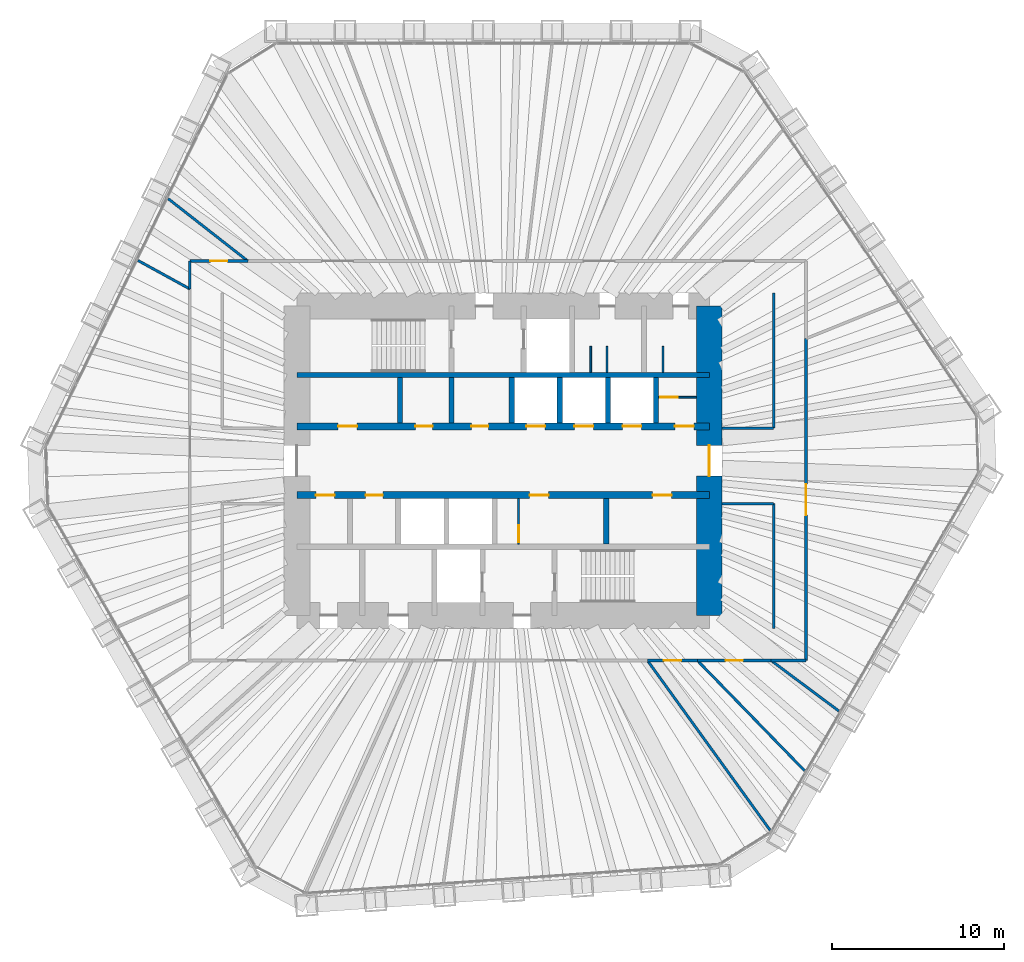
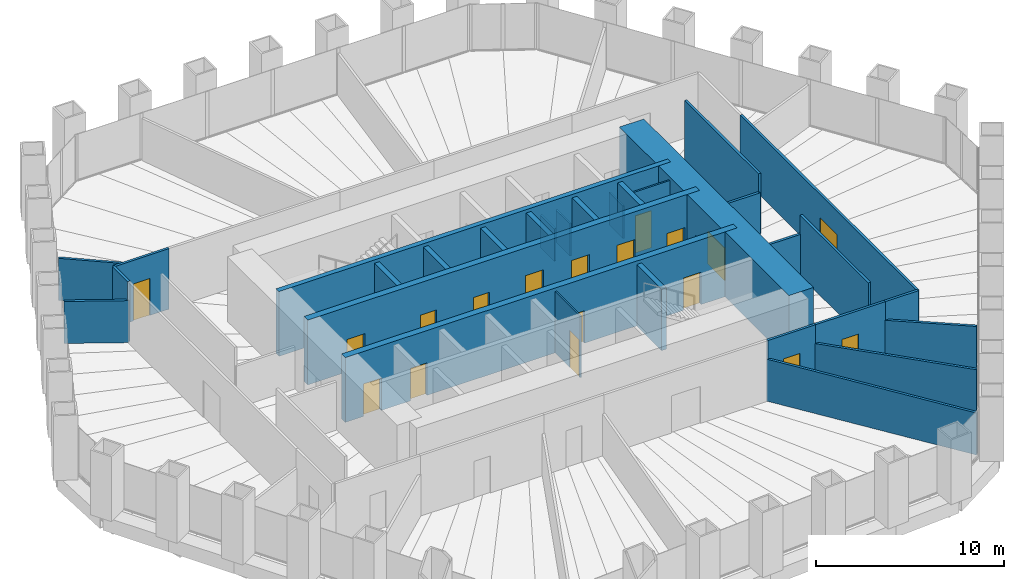
# One storey, part 10 of 12: 31 walls, 18 doors, 18 openings.
"""IFC4 building model written with IfcOpenShell, lengths in metres."""

from ifc_helpers import new_model, si_unit, direction, frame, frame_2d, origin, place, context, subcontext, project, spatial, rectangle, extrude, material, layer, layer_set, type_object, element, fill, save


model = new_model("IFC4")

# Units and contexts
model_context = context("Model", 3, precision=1e-05, world=origin(), true_north=direction((0.0, 1.0)))
body_context = subcontext(model_context, "Body", "Model", "MODEL_VIEW")
ifc_project = project(units=[si_unit("LENGTHUNIT", "METRE"), si_unit("AREAUNIT", "SQUARE_METRE"), si_unit("VOLUMEUNIT", "CUBIC_METRE"), si_unit("PLANEANGLEUNIT", "RADIAN"), si_unit("MASSUNIT", "GRAM", prefix="KILO")], contexts=[model_context])

# Site, building, storey
site_placement = place(None, origin())
site = spatial("IfcSite", under=ifc_project, at=site_placement, CompositionType="ELEMENT")
building_placement = place(site_placement, origin())
building = spatial("IfcBuilding", under=site, at=building_placement, Name="Qingtian Harvest Tower", CompositionType="ELEMENT")
storey_placement = place(building_placement, frame((0.0, 0.0, 170.199951171875)))
storey = spatial("IfcBuildingStorey", under=building, at=storey_placement, Name="L36", CompositionType="ELEMENT", Elevation=170.199951171875)

# Wall
ifc_material_1 = material(Name="Concrete fc' 70 MPa", Category="concrete")
ifc_layer_1 = layer(ifc_material_1, 0.300048828125)
ifc_layer_set_1 = layer_set([ifc_layer_1], Name="Core inner wall RC5 300")
wall_type_1 = type_object("IfcWallType", Name="Core inner wall RC5 300", PredefinedType="SHEAR", material=ifc_layer_set_1)
wall_1_placement = place(storey_placement, frame((-12.0, 5.0, 0.0), z_axis=(0.0, 0.0, 1.0), x_axis=(1.0, 0.0, 0.0)))
element("IfcWall", 1, at=wall_1_placement, inside=storey, type_object=wall_type_1, Name="Core wall IN5 L36", PredefinedType="SHEAR", context=body_context, shape_type="SweptSolid", body=[
    extrude(rectangle(XDim=24.0, YDim=0.300048828125, at=frame_2d((12.0, 0.0))), origin(), (0.0, 0.0, 1.0), 4.199951171875),
])

# Wall, openings, doors
ifc_material_2 = material(Name="Concrete fc' 70 MPa", Category="concrete")
ifc_layer_2 = layer(ifc_material_2, 0.39990234375)
ifc_layer_set_2 = layer_set([ifc_layer_2], Name="Core inner web RC6 400")
wall_type_2 = type_object("IfcWallType", Name="Core inner web RC6 400", PredefinedType="SHEAR", material=ifc_layer_set_2)
wall_2_placement = place(storey_placement, frame((-12.0, 2.0, 0.0), z_axis=(0.0, 0.0, 1.0), x_axis=(1.0, 0.0, 0.0)))
wall_2 = element("IfcWall", 2, at=wall_2_placement, inside=storey, type_object=wall_type_2, Name="Core wall IN2 L36", PredefinedType="SHEAR", context=body_context, shape_type="SweptSolid", body=[
    extrude(rectangle(XDim=24.0, YDim=0.39990234375, at=frame_2d((12.0, 0.0))), origin(), (0.0, 0.0, 1.0), 4.199951171875),
])
opening_1_placement = place(wall_2_placement, frame((2.39990234375, 0.0, 0.0)))
opening_1 = element("IfcOpeningElement", 3, at=opening_1_placement, cuts=wall_2, Name="Opening FD4", PredefinedType="OPENING", context=body_context, shape_type="SweptSolid", body=[
    extrude(rectangle(XDim=1.10009765625, YDim=2.10009765625, at=frame_2d((0.550048828125, 1.050048828125))), frame((0.0, 0.2099609375, 0.0), z_axis=(0.0, -1.0, 0.0), x_axis=(1.0, 0.0, 0.0)), (0.0, 0.0, 1.0), 0.419921875),
])
opening_2_placement = place(wall_2_placement, frame((22.0, 0.0, 0.0)))
opening_2 = element("IfcOpeningElement", 4, at=opening_2_placement, cuts=wall_2, Name="Opening FD4", PredefinedType="OPENING", context=body_context, shape_type="SweptSolid", body=[
    extrude(rectangle(XDim=1.10009765625, YDim=2.10009765625, at=frame_2d((0.550048828125, 1.050048828125))), frame((0.0, 0.2099609375, 0.0), z_axis=(0.0, -1.0, 0.0), x_axis=(1.0, 0.0, 0.0)), (0.0, 0.0, 1.0), 0.419921875),
])
opening_3_placement = place(wall_2_placement, frame((10.14990234375, 0.0, 0.0)))
opening_3 = element("IfcOpeningElement", 5, at=opening_3_placement, cuts=wall_2, Name="Opening FD1", PredefinedType="OPENING", context=body_context, shape_type="SweptSolid", body=[
    extrude(rectangle(XDim=1.0, YDim=2.10009765625, at=frame_2d((0.5, 1.050048828125))), frame((0.0, 0.2099609375, 0.0), z_axis=(0.0, -1.0, 0.0), x_axis=(1.0, 0.0, 0.0)), (0.0, 0.0, 1.0), 0.419921875),
])
opening_4_placement = place(wall_2_placement, frame((6.89990234375, 0.0, 0.0)))
opening_4 = element("IfcOpeningElement", 6, at=opening_4_placement, cuts=wall_2, Name="Opening FD1", PredefinedType="OPENING", context=body_context, shape_type="SweptSolid", body=[
    extrude(rectangle(XDim=1.0, YDim=2.10009765625, at=frame_2d((0.5, 1.050048828125))), frame((0.0, 0.2099609375, 0.0), z_axis=(0.0, -1.0, 0.0), x_axis=(1.0, 0.0, 0.0)), (0.0, 0.0, 1.0), 0.419921875),
])
opening_5_placement = place(wall_2_placement, frame((13.35009765625, 0.0, 0.0)))
opening_5 = element("IfcOpeningElement", 7, at=opening_5_placement, cuts=wall_2, Name="Opening LD1", PredefinedType="OPENING", context=body_context, shape_type="SweptSolid", body=[
    extrude(rectangle(XDim=1.10009765625, YDim=2.39990234375, at=frame_2d((0.550048828125, 1.199951171875))), frame((0.0, 0.2099609375, 0.0), z_axis=(0.0, -1.0, 0.0), x_axis=(1.0, 0.0, 0.0)), (0.0, 0.0, 1.0), 0.419921875),
])
opening_6_placement = place(wall_2_placement, frame((16.14990234375, 0.0, 0.0)))
opening_6 = element("IfcOpeningElement", 8, at=opening_6_placement, cuts=wall_2, Name="Opening LD1", PredefinedType="OPENING", context=body_context, shape_type="SweptSolid", body=[
    extrude(rectangle(XDim=1.10009765625, YDim=2.39990234375, at=frame_2d((0.550048828125, 1.199951171875))), frame((0.0, 0.2099609375, 0.0), z_axis=(0.0, -1.0, 0.0), x_axis=(1.0, 0.0, 0.0)), (0.0, 0.0, 1.0), 0.419921875),
])
opening_7_placement = place(wall_2_placement, frame((18.949951171875, 0.0, 0.0)))
opening_7 = element("IfcOpeningElement", 9, at=opening_7_placement, cuts=wall_2, Name="Opening LD1", PredefinedType="OPENING", context=body_context, shape_type="SweptSolid", body=[
    extrude(rectangle(XDim=1.10009765625, YDim=2.39990234375, at=frame_2d((0.550048828125, 1.199951171875))), frame((0.0, 0.2099609375, 0.0), z_axis=(0.0, -1.0, 0.0), x_axis=(1.0, 0.0, 0.0)), (0.0, 0.0, 1.0), 0.419921875),
])
ifc_material_3 = material(Name="Steel-faced door leaf", Category="steel")
door_type_1 = type_object("IfcDoorType", Name="Fire door FD1 single 1 HR", OperationType="SINGLE_SWING_LEFT", PredefinedType="DOOR", material=ifc_material_3)
door_1_placement = place(opening_3_placement, origin())
door_1 = element("IfcDoor", 10, at=door_1_placement, inside=storey, type_object=door_type_1, Name="STA door L36", OperationType="SINGLE_SWING_RIGHT", OverallHeight=2.10009765625, OverallWidth=1.0, PredefinedType="DOOR", context=body_context, shape_type="SweptSolid", body=[
    extrude(rectangle(XDim=1.0, YDim=2.10009765625, at=frame_2d((0.5, 1.050048828125))), frame((0.0, 0.02490234375, 0.0), z_axis=(0.0, -1.0, 0.0), x_axis=(1.0, 0.0, 0.0)), (0.0, 0.0, 1.0), 0.050048828125),
])
fill(opening_3, door_1)
door_2_placement = place(opening_4_placement, origin())
door_2 = element("IfcDoor", 11, at=door_2_placement, inside=storey, type_object=door_type_1, Name="Pantry door L36", OperationType="SINGLE_SWING_RIGHT", OverallHeight=2.10009765625, OverallWidth=1.0, PredefinedType="DOOR", context=body_context, shape_type="SweptSolid", body=[
    extrude(rectangle(XDim=1.0, YDim=2.10009765625, at=frame_2d((0.5, 1.050048828125))), frame((0.0, 0.02490234375, 0.0), z_axis=(0.0, -1.0, 0.0), x_axis=(1.0, 0.0, 0.0)), (0.0, 0.0, 1.0), 0.050048828125),
])
fill(opening_4, door_2)
ifc_material_4 = material(Name="Steel-faced door leaf", Category="steel")
door_type_2 = type_object("IfcDoorType", Name="Fire door FD4 single 2 HR", OperationType="SINGLE_SWING_LEFT", PredefinedType="DOOR", material=ifc_material_4)
door_3_placement = place(opening_1_placement, origin())
door_3 = element("IfcDoor", 12, at=door_3_placement, inside=storey, type_object=door_type_2, Name="RA door L36", OperationType="SINGLE_SWING_LEFT", OverallHeight=2.10009765625, OverallWidth=1.10009765625, PredefinedType="DOOR", context=body_context, shape_type="SweptSolid", body=[
    extrude(rectangle(XDim=1.10009765625, YDim=2.10009765625, at=frame_2d((0.550048828125, 1.050048828125))), frame((0.0, 0.02490234375, 0.0), z_axis=(0.0, -1.0, 0.0), x_axis=(1.0, 0.0, 0.0)), (0.0, 0.0, 1.0), 0.050048828125),
])
fill(opening_1, door_3)
door_4_placement = place(opening_2_placement, origin())
door_4 = element("IfcDoor", 13, at=door_4_placement, inside=storey, type_object=door_type_2, Name="AHU door L36", OperationType="SINGLE_SWING_LEFT", OverallHeight=2.10009765625, OverallWidth=1.10009765625, PredefinedType="DOOR", context=body_context, shape_type="SweptSolid", body=[
    extrude(rectangle(XDim=1.10009765625, YDim=2.10009765625, at=frame_2d((0.550048828125, 1.050048828125))), frame((0.0, 0.02490234375, 0.0), z_axis=(0.0, -1.0, 0.0), x_axis=(1.0, 0.0, 0.0)), (0.0, 0.0, 1.0), 0.050048828125),
])
fill(opening_2, door_4)
ifc_material_5 = material(Name="Stainless steel lift landing door", Category="steel")
door_type_3 = type_object("IfcDoorType", Name="Lift landing door LD1 1 HR", OperationType="DOUBLE_DOOR_SLIDING", PredefinedType="DOOR", material=ifc_material_5)
door_5_placement = place(opening_5_placement, origin())
door_5 = element("IfcDoor", 14, at=door_5_placement, inside=storey, type_object=door_type_3, Name="PLB1 landing door L36", OperationType="DOUBLE_DOOR_SLIDING", OverallHeight=2.39990234375, OverallWidth=1.10009765625, PredefinedType="DOOR", context=body_context, shape_type="SweptSolid", body=[
    extrude(rectangle(XDim=1.10009765625, YDim=2.39990234375, at=frame_2d((0.550048828125, 1.199951171875))), frame((0.0, 0.02490234375, 0.0), z_axis=(0.0, -1.0, 0.0), x_axis=(1.0, 0.0, 0.0)), (0.0, 0.0, 1.0), 0.050048828125),
])
fill(opening_5, door_5)
door_6_placement = place(opening_6_placement, origin())
door_6 = element("IfcDoor", 15, at=door_6_placement, inside=storey, type_object=door_type_3, Name="PLB2 landing door L36", OperationType="DOUBLE_DOOR_SLIDING", OverallHeight=2.39990234375, OverallWidth=1.10009765625, PredefinedType="DOOR", context=body_context, shape_type="SweptSolid", body=[
    extrude(rectangle(XDim=1.10009765625, YDim=2.39990234375, at=frame_2d((0.550048828125, 1.199951171875))), frame((0.0, 0.02490234375, 0.0), z_axis=(0.0, -1.0, 0.0), x_axis=(1.0, 0.0, 0.0)), (0.0, 0.0, 1.0), 0.050048828125),
])
fill(opening_6, door_6)
door_7_placement = place(opening_7_placement, origin())
door_7 = element("IfcDoor", 16, at=door_7_placement, inside=storey, type_object=door_type_3, Name="PLB3 landing door L36", OperationType="DOUBLE_DOOR_SLIDING", OverallHeight=2.39990234375, OverallWidth=1.10009765625, PredefinedType="DOOR", context=body_context, shape_type="SweptSolid", body=[
    extrude(rectangle(XDim=1.10009765625, YDim=2.39990234375, at=frame_2d((0.550048828125, 1.199951171875))), frame((0.0, 0.02490234375, 0.0), z_axis=(0.0, -1.0, 0.0), x_axis=(1.0, 0.0, 0.0)), (0.0, 0.0, 1.0), 0.050048828125),
])
fill(opening_7, door_7)

wall_3_placement = place(storey_placement, frame((-12.0, -2.0, 0.0), z_axis=(0.0, 0.0, 1.0), x_axis=(1.0, 0.0, 0.0)))
wall_3 = element("IfcWall", 17, at=wall_3_placement, inside=storey, type_object=wall_type_2, Name="Core wall IS2 L36", PredefinedType="SHEAR", context=body_context, shape_type="SweptSolid", body=[
    extrude(rectangle(XDim=24.0, YDim=0.39990234375, at=frame_2d((12.0, 0.0))), origin(), (0.0, 0.0, 1.0), 4.199951171875),
])
opening_8_placement = place(wall_3_placement, frame((1.10009765625, 0.0, 0.0)))
opening_8 = element("IfcOpeningElement", 18, at=opening_8_placement, cuts=wall_3, Name="Opening FD4", PredefinedType="OPENING", context=body_context, shape_type="SweptSolid", body=[
    extrude(rectangle(XDim=1.10009765625, YDim=2.10009765625, at=frame_2d((0.550048828125, 1.050048828125))), frame((0.0, 0.2099609375, 0.0), z_axis=(0.0, -1.0, 0.0), x_axis=(1.0, 0.0, 0.0)), (0.0, 0.0, 1.0), 0.419921875),
])
opening_9_placement = place(wall_3_placement, frame((13.550048828125, 0.0, 0.0)))
opening_9 = element("IfcOpeningElement", 19, at=opening_9_placement, cuts=wall_3, Name="Opening FD4", PredefinedType="OPENING", context=body_context, shape_type="SweptSolid", body=[
    extrude(rectangle(XDim=1.10009765625, YDim=2.10009765625, at=frame_2d((0.550048828125, 1.050048828125))), frame((0.0, 0.2099609375, 0.0), z_axis=(0.0, -1.0, 0.0), x_axis=(1.0, 0.0, 0.0)), (0.0, 0.0, 1.0), 0.419921875),
])
opening_10_placement = place(wall_3_placement, frame((20.699951171875, 0.0, 0.0)))
opening_10 = element("IfcOpeningElement", 20, at=opening_10_placement, cuts=wall_3, Name="Opening FD4", PredefinedType="OPENING", context=body_context, shape_type="SweptSolid", body=[
    extrude(rectangle(XDim=1.10009765625, YDim=2.10009765625, at=frame_2d((0.550048828125, 1.050048828125))), frame((0.0, 0.2099609375, 0.0), z_axis=(0.0, -1.0, 0.0), x_axis=(1.0, 0.0, 0.0)), (0.0, 0.0, 1.0), 0.419921875),
])
opening_11_placement = place(wall_3_placement, frame((4.0, 0.0, 0.0)))
opening_11 = element("IfcOpeningElement", 21, at=opening_11_placement, cuts=wall_3, Name="Opening FD1", PredefinedType="OPENING", context=body_context, shape_type="SweptSolid", body=[
    extrude(rectangle(XDim=1.0, YDim=2.10009765625, at=frame_2d((0.5, 1.050048828125))), frame((0.0, 0.2099609375, 0.0), z_axis=(0.0, -1.0, 0.0), x_axis=(1.0, 0.0, 0.0)), (0.0, 0.0, 1.0), 0.419921875),
])
door_8_placement = place(opening_11_placement, origin())
door_8 = element("IfcDoor", 22, at=door_8_placement, inside=storey, type_object=door_type_1, Name="Staff WC door L36", OperationType="SINGLE_SWING_RIGHT", OverallHeight=2.10009765625, OverallWidth=1.0, PredefinedType="DOOR", context=body_context, shape_type="SweptSolid", body=[
    extrude(rectangle(XDim=1.0, YDim=2.10009765625, at=frame_2d((0.5, 1.050048828125))), frame((0.0, 0.02490234375, 0.0), z_axis=(0.0, -1.0, 0.0), x_axis=(1.0, 0.0, 0.0)), (0.0, 0.0, 1.0), 0.050048828125),
])
fill(opening_11, door_8)
door_9_placement = place(opening_8_placement, origin())
door_9 = element("IfcDoor", 23, at=door_9_placement, inside=storey, type_object=door_type_2, Name="RB door L36", OperationType="SINGLE_SWING_LEFT", OverallHeight=2.10009765625, OverallWidth=1.10009765625, PredefinedType="DOOR", context=body_context, shape_type="SweptSolid", body=[
    extrude(rectangle(XDim=1.10009765625, YDim=2.10009765625, at=frame_2d((0.550048828125, 1.050048828125))), frame((0.0, 0.02490234375, 0.0), z_axis=(0.0, -1.0, 0.0), x_axis=(1.0, 0.0, 0.0)), (0.0, 0.0, 1.0), 0.050048828125),
])
fill(opening_8, door_9)
door_10_placement = place(opening_9_placement, origin())
door_10 = element("IfcDoor", 24, at=door_10_placement, inside=storey, type_object=door_type_2, Name="ELEC door L36", OperationType="SINGLE_SWING_RIGHT", OverallHeight=2.10009765625, OverallWidth=1.10009765625, PredefinedType="DOOR", context=body_context, shape_type="SweptSolid", body=[
    extrude(rectangle(XDim=1.10009765625, YDim=2.10009765625, at=frame_2d((0.550048828125, 1.050048828125))), frame((0.0, 0.02490234375, 0.0), z_axis=(0.0, -1.0, 0.0), x_axis=(1.0, 0.0, 0.0)), (0.0, 0.0, 1.0), 0.050048828125),
])
fill(opening_9, door_10)
door_11_placement = place(opening_10_placement, origin())
door_11 = element("IfcDoor", 25, at=door_11_placement, inside=storey, type_object=door_type_2, Name="DUCT door L36", OperationType="SINGLE_SWING_LEFT", OverallHeight=2.10009765625, OverallWidth=1.10009765625, PredefinedType="DOOR", context=body_context, shape_type="SweptSolid", body=[
    extrude(rectangle(XDim=1.10009765625, YDim=2.10009765625, at=frame_2d((0.550048828125, 1.050048828125))), frame((0.0, 0.02490234375, 0.0), z_axis=(0.0, -1.0, 0.0), x_axis=(1.0, 0.0, 0.0)), (0.0, 0.0, 1.0), 0.050048828125),
])
fill(opening_10, door_11)

# Walls
ifc_material_6 = material(Name="Precast concrete shaft panel", Category="concrete")
ifc_layer_3 = layer(ifc_material_6, 0.300048828125)
ifc_layer_set_3 = layer_set([ifc_layer_3], Name="Core shaft partition SW1 300")
wall_type_3 = type_object("IfcWallType", Name="Core shaft partition SW1 300", PredefinedType="PARTITIONING", material=ifc_layer_set_3)
for number, where, z_axis, x_axis, name in (
    (26, (-6.0, 2.199951171875, 0.0), (0.0, 0.0, 1.0), (0.0, 1.0, 0.0), "Core shaft partition XA1 L36"),
    (27, (-3.0, 2.199951171875, 0.0), (0.0, 0.0, 1.0), (0.0, 1.0, 0.0), "Core shaft partition XA2 L36"),
    (28, (0.5, 2.199951171875, 0.0), (0.0, 0.0, 1.0), (0.0, 1.0, 0.0), "Core shaft partition XA3 L36"),
    (29, (3.300048828125, 2.199951171875, 0.0), (0.0, 0.0, 1.0), (0.0, 1.0, 0.0), "Core shaft partition XA4 L36"),
    (30, (6.10009765625, 2.199951171875, 0.0), (0.0, 0.0, 1.0), (0.0, 1.0, 0.0), "Core shaft partition XA5 L36"),
    (31, (8.89990234375, 2.199951171875, 0.0), (0.0, 0.0, 1.0), (0.0, 1.0, 0.0), "Core shaft partition XA6 L36"),
    (32, (6.0, -4.85009765625, 0.0), (0.0, 0.0, 1.0), (0.0, 1.0, 0.0), "Core shaft partition XB5 L36"),
):
    element("IfcWall", number, at=place(storey_placement, frame(where, z_axis=z_axis, x_axis=x_axis)), inside=storey, type_object=wall_type_3, Name=name, PredefinedType="PARTITIONING", context=body_context, shape_type="SweptSolid", body=[
        extrude(rectangle(XDim=2.650146484375, YDim=0.300048828125, at=frame_2d((1.3251953125, 0.0))), origin(), (0.0, 0.0, 1.0), 3.97998046875),
    ])

# Wall, opening, door
ifc_material_7 = material(Name="Concrete fc' 70 MPa", Category="concrete")
ifc_layer_4 = layer(ifc_material_7, 1.5)
ifc_layer_set_4 = layer_set([ifc_layer_4], Name="Core wall RC1 1500")
wall_type_4 = type_object("IfcWallType", Name="Core wall RC1 1500", PredefinedType="SHEAR", material=ifc_layer_set_4)
wall_4_placement = place(storey_placement, frame((12.0, -9.0, 0.0), z_axis=(0.0, 0.0, 1.0), x_axis=(0.0, 1.0, 0.0)))
wall_4 = element("IfcWall", 33, at=wall_4_placement, inside=storey, type_object=wall_type_4, Name="Core wall CE L36", PredefinedType="SHEAR", context=body_context, shape_type="SweptSolid", body=[
    extrude(rectangle(XDim=18.0, YDim=1.5, at=frame_2d((9.0, 0.0))), origin(), (0.0, 0.0, 1.0), 4.199951171875),
])
opening_12_placement = place(wall_4_placement, frame((8.10009765625, 0.0, 0.0)))
opening_12 = element("IfcOpeningElement", 34, at=opening_12_placement, cuts=wall_4, Name="Opening FD2", PredefinedType="OPENING", context=body_context, shape_type="SweptSolid", body=[
    extrude(rectangle(XDim=1.800048828125, YDim=2.10009765625, at=frame_2d((0.89990234375, 1.050048828125))), frame((0.0, 0.760009765625, 0.0), z_axis=(0.0, -1.0, 0.0), x_axis=(1.0, 0.0, 0.0)), (0.0, 0.0, 1.0), 1.52001953125),
])
ifc_material_8 = material(Name="Steel-faced door leaf", Category="steel")
door_type_4 = type_object("IfcDoorType", Name="Fire door FD2 double 1 HR", OperationType="DOUBLE_DOOR_DOUBLE_SWING", PredefinedType="DOOR", material=ifc_material_8)
door_12_placement = place(opening_12_placement, origin())
door_12 = element("IfcDoor", 35, at=door_12_placement, inside=storey, type_object=door_type_4, Name="LOBBY-E door L36", OperationType="DOUBLE_DOOR_DOUBLE_SWING", OverallHeight=2.10009765625, OverallWidth=1.800048828125, PredefinedType="DOOR", context=body_context, shape_type="SweptSolid", body=[
    extrude(rectangle(XDim=1.800048828125, YDim=2.10009765625, at=frame_2d((0.89990234375, 1.050048828125))), frame((0.0, 0.02490234375, 0.0), z_axis=(0.0, -1.0, 0.0), x_axis=(1.0, 0.0, 0.0)), (0.0, 0.0, 1.0), 0.050048828125),
])
fill(opening_12, door_12)

ifc_material_9 = material(Name="Gypsum board on steel studs", Category="steel")
ifc_layer_5 = layer(ifc_material_9, 0.14990234375)
ifc_layer_set_5 = layer_set([ifc_layer_5], Name="Partition PT1 150")
wall_type_5 = type_object("IfcWallType", Name="Partition PT1 150", PredefinedType="PARTITIONING", material=ifc_layer_set_5)
wall_5_placement = place(storey_placement, frame((17.625, 7.10595703125, 0.0), z_axis=(0.0, 0.0, 1.0), x_axis=(0.0, -1.0, 0.0)))
wall_5 = element("IfcWall", 36, at=wall_5_placement, inside=storey, type_object=wall_type_5, Name="Office suite wall L36", PredefinedType="PARTITIONING", context=body_context, shape_type="SweptSolid", body=[
    extrude(rectangle(XDim=18.73095703125, YDim=0.14990234375, at=frame_2d((9.365478515625, 0.0))), origin(), (0.0, 0.0, 1.0), 3.920166015625),
])
opening_13_placement = place(wall_5_placement, frame((8.465576171875, 0.0, 0.0)))
opening_13 = element("IfcOpeningElement", 37, at=opening_13_placement, cuts=wall_5, Name="Opening D3", PredefinedType="OPENING", context=body_context, shape_type="SweptSolid", body=[
    extrude(rectangle(XDim=1.800048828125, YDim=2.39990234375, at=frame_2d((0.89990234375, 1.199951171875))), frame((0.0, 0.0849609375, 0.0), z_axis=(0.0, -1.0, 0.0), x_axis=(1.0, 0.0, 0.0)), (0.0, 0.0, 1.0), 0.169921875),
])
ifc_material_10 = material(Name="Laminated timber door leaf", Category="wood")
door_type_5 = type_object("IfcDoorType", Name="Room door D3 double", OperationType="DOUBLE_DOOR_DOUBLE_SWING", PredefinedType="DOOR", material=ifc_material_10)
door_13_placement = place(opening_13_placement, origin())
door_13 = element("IfcDoor", 38, at=door_13_placement, inside=storey, type_object=door_type_5, Name="Office suite door L36", OperationType="DOUBLE_DOOR_DOUBLE_SWING", OverallHeight=2.39990234375, OverallWidth=1.800048828125, PredefinedType="DOOR", context=body_context, shape_type="SweptSolid", body=[
    extrude(rectangle(XDim=1.800048828125, YDim=2.39990234375, at=frame_2d((0.89990234375, 1.199951171875))), frame((0.0, 0.02490234375, 0.0), z_axis=(0.0, -1.0, 0.0), x_axis=(1.0, 0.0, 0.0)), (0.0, 0.0, 1.0), 0.050048828125),
])
fill(opening_13, door_13)

# Walls
wall_6_placement = place(storey_placement, frame((17.625, -11.625, 0.0), z_axis=(0.0, 0.0, 1.0), x_axis=(-1.0, 0.0, 0.0)))
element("IfcWall", 39, at=wall_6_placement, inside=storey, type_object=wall_type_5, Name="Office suite wall L36", PredefinedType="PARTITIONING", context=body_context, shape_type="SweptSolid", body=[
    extrude(rectangle(XDim=2.02880859375, YDim=0.14990234375, at=frame_2d((1.014404296875, 0.0))), origin(), (0.0, 0.0, 1.0), 3.920166015625),
])
wall_7_placement = place(storey_placement, frame((19.536865234375, -14.562255859375, 0.0), z_axis=(0.0, 0.0, 1.0), x_axis=(-0.801778753003, 0.597620976233, 0.0)))
element("IfcWall", 40, at=wall_7_placement, inside=storey, type_object=wall_type_5, Name="Private office wall L36", PredefinedType="PARTITIONING", context=body_context, shape_type="SweptSolid", body=[
    extrude(rectangle(XDim=4.914794921875, YDim=0.14990234375, at=frame_2d((2.45751953125, 0.0))), origin(), (0.0, 0.0, 1.0), 2.719970703125),
])

# Wall, opening, door
wall_8_placement = place(storey_placement, frame((15.59619140625, -11.625, 0.0), z_axis=(0.0, 0.0, 1.0), x_axis=(-1.0, 0.0, 0.0)))
wall_8 = element("IfcWall", 41, at=wall_8_placement, inside=storey, type_object=wall_type_5, Name="Private office wall L36", PredefinedType="PARTITIONING", context=body_context, shape_type="SweptSolid", body=[
    extrude(rectangle(XDim=4.2890625, YDim=0.14990234375, at=frame_2d((2.14453125, 0.0))), origin(), (0.0, 0.0, 1.0), 3.920166015625),
])
opening_14_placement = place(wall_8_placement, frame((1.64453125, 0.0, 0.0)))
opening_14 = element("IfcOpeningElement", 42, at=opening_14_placement, cuts=wall_8, Name="Opening D2", PredefinedType="OPENING", context=body_context, shape_type="SweptSolid", body=[
    extrude(rectangle(XDim=1.0, YDim=2.39990234375, at=frame_2d((0.5, 1.199951171875))), frame((0.0, 0.0849609375, 0.0), z_axis=(0.0, -1.0, 0.0), x_axis=(1.0, 0.0, 0.0)), (0.0, 0.0, 1.0), 0.169921875),
])
ifc_material_11 = material(Name="Laminated timber door leaf", Category="wood")
door_type_6 = type_object("IfcDoorType", Name="Room door D2 single", OperationType="SINGLE_SWING_LEFT", PredefinedType="DOOR", material=ifc_material_11)
door_14_placement = place(opening_14_placement, origin())
door_14 = element("IfcDoor", 43, at=door_14_placement, inside=storey, type_object=door_type_6, Name="Private office door L36", OperationType="SINGLE_SWING_LEFT", OverallHeight=2.39990234375, OverallWidth=1.0, PredefinedType="DOOR", context=body_context, shape_type="SweptSolid", body=[
    extrude(rectangle(XDim=1.0, YDim=2.39990234375, at=frame_2d((0.5, 1.199951171875))), frame((0.0, 0.02490234375, 0.0), z_axis=(0.0, -1.0, 0.0), x_axis=(1.0, 0.0, 0.0)), (0.0, 0.0, 1.0), 0.050048828125),
])
fill(opening_14, door_14)

# Wall
wall_9_placement = place(storey_placement, frame((17.537841796875, -18.031005859375, 0.0), z_axis=(0.0, 0.0, 1.0), x_axis=(-0.697230918085, 0.716846599257, 0.0)))
element("IfcWall", 44, at=wall_9_placement, inside=storey, type_object=wall_type_5, Name="Private office wall L36", PredefinedType="PARTITIONING", context=body_context, shape_type="SweptSolid", body=[
    extrude(rectangle(XDim=8.936279296875, YDim=0.14990234375, at=frame_2d((4.46826171875, 0.0))), origin(), (0.0, 0.0, 1.0), 2.719970703125),
])

# Wall, opening, door
wall_10_placement = place(storey_placement, frame((11.30712890625, -11.625, 0.0), z_axis=(0.0, 0.0, 1.0), x_axis=(-1.0, 0.0, 0.0)))
wall_10 = element("IfcWall", 45, at=wall_10_placement, inside=storey, type_object=wall_type_5, Name="Private office wall L36", PredefinedType="PARTITIONING", context=body_context, shape_type="SweptSolid", body=[
    extrude(rectangle(XDim=2.90576171875, YDim=0.14990234375, at=frame_2d((1.452880859375, 0.0))), origin(), (0.0, 0.0, 1.0), 3.920166015625),
])
opening_15_placement = place(wall_10_placement, frame((0.952880859375, 0.0, 0.0)))
opening_15 = element("IfcOpeningElement", 46, at=opening_15_placement, cuts=wall_10, Name="Opening D2", PredefinedType="OPENING", context=body_context, shape_type="SweptSolid", body=[
    extrude(rectangle(XDim=1.0, YDim=2.39990234375, at=frame_2d((0.5, 1.199951171875))), frame((0.0, 0.0849609375, 0.0), z_axis=(0.0, -1.0, 0.0), x_axis=(1.0, 0.0, 0.0)), (0.0, 0.0, 1.0), 0.169921875),
])
door_15_placement = place(opening_15_placement, origin())
door_15 = element("IfcDoor", 47, at=door_15_placement, inside=storey, type_object=door_type_6, Name="Private office door L36", OperationType="SINGLE_SWING_LEFT", OverallHeight=2.39990234375, OverallWidth=1.0, PredefinedType="DOOR", context=body_context, shape_type="SweptSolid", body=[
    extrude(rectangle(XDim=1.0, YDim=2.39990234375, at=frame_2d((0.5, 1.199951171875))), frame((0.0, 0.02490234375, 0.0), z_axis=(0.0, -1.0, 0.0), x_axis=(1.0, 0.0, 0.0)), (0.0, 0.0, 1.0), 0.050048828125),
])
fill(opening_15, door_15)

# Walls
wall_11_placement = place(storey_placement, frame((15.53955078125, -21.50244140625, 0.0), z_axis=(0.0, 0.0, 1.0), x_axis=(-0.585731902034, 0.810504866697, 0.0)))
element("IfcWall", 48, at=wall_11_placement, inside=storey, type_object=wall_type_5, Name="Grower training room wall L36", PredefinedType="PARTITIONING", context=body_context, shape_type="SweptSolid", body=[
    extrude(rectangle(XDim=12.186767578125, YDim=0.14990234375, at=frame_2d((6.09326171875, 0.0))), origin(), (0.0, 0.0, 1.0), 2.719970703125),
])
wall_12_placement = place(storey_placement, frame((-21.242431640625, 11.65087890625, 0.0), z_axis=(0.0, 0.0, 1.0), x_axis=(0.876768023831, -0.480913539409, 0.0)))
element("IfcWall", 49, at=wall_12_placement, inside=storey, type_object=wall_type_5, Name="Store room wall L36", PredefinedType="PARTITIONING", context=body_context, shape_type="SweptSolid", body=[
    extrude(rectangle(XDim=3.44140625, YDim=0.14990234375, at=frame_2d((1.720703125, 0.0))), origin(), (0.0, 0.0, 1.0), 2.719970703125),
])
wall_13_placement = place(storey_placement, frame((-18.22509765625, 9.995849609375, 0.0), z_axis=(0.0, 0.0, 1.0), x_axis=(0.0, 1.0, 0.0)))
element("IfcWall", 50, at=wall_13_placement, inside=storey, type_object=wall_type_5, Name="Store room wall L36", PredefinedType="PARTITIONING", context=body_context, shape_type="SweptSolid", body=[
    extrude(rectangle(XDim=1.629150390625, YDim=0.14990234375, at=frame_2d((0.814453125, 0.0))), origin(), (0.0, 0.0, 1.0), 3.920166015625),
])

# Wall, opening, door
wall_14_placement = place(storey_placement, frame((-18.22509765625, 11.625, 0.0), z_axis=(0.0, 0.0, 1.0), x_axis=(1.0, 0.0, 0.0)))
wall_14 = element("IfcWall", 51, at=wall_14_placement, inside=storey, type_object=wall_type_5, Name="Store room wall L36", PredefinedType="PARTITIONING", context=body_context, shape_type="SweptSolid", body=[
    extrude(rectangle(XDim=3.367919921875, YDim=0.14990234375, at=frame_2d((1.68408203125, 0.0))), origin(), (0.0, 0.0, 1.0), 3.920166015625),
])
opening_16_placement = place(wall_14_placement, frame((1.18408203125, 0.0, 0.0)))
opening_16 = element("IfcOpeningElement", 52, at=opening_16_placement, cuts=wall_14, Name="Opening D2", PredefinedType="OPENING", context=body_context, shape_type="SweptSolid", body=[
    extrude(rectangle(XDim=1.0, YDim=2.39990234375, at=frame_2d((0.5, 1.199951171875))), frame((0.0, 0.0849609375, 0.0), z_axis=(0.0, -1.0, 0.0), x_axis=(1.0, 0.0, 0.0)), (0.0, 0.0, 1.0), 0.169921875),
])
door_16_placement = place(opening_16_placement, origin())
door_16 = element("IfcDoor", 53, at=door_16_placement, inside=storey, type_object=door_type_6, Name="Store room door L36", OperationType="SINGLE_SWING_LEFT", OverallHeight=2.39990234375, OverallWidth=1.0, PredefinedType="DOOR", context=body_context, shape_type="SweptSolid", body=[
    extrude(rectangle(XDim=1.0, YDim=2.39990234375, at=frame_2d((0.5, 1.199951171875))), frame((0.0, 0.02490234375, 0.0), z_axis=(0.0, -1.0, 0.0), x_axis=(1.0, 0.0, 0.0)), (0.0, 0.0, 1.0), 0.050048828125),
])
fill(opening_16, door_16)

# Walls
wall_15_placement = place(storey_placement, frame((-19.489501953125, 15.249755859375, 0.0), z_axis=(0.0, 0.0, 1.0), x_axis=(0.787549668605, -0.616251182133, 0.0)))
element("IfcWall", 54, at=wall_15_placement, inside=storey, type_object=wall_type_5, Name="Office suite wall L36", PredefinedType="PARTITIONING", context=body_context, shape_type="SweptSolid", body=[
    extrude(rectangle(XDim=5.8818359375, YDim=0.14990234375, at=frame_2d((2.94091796875, 0.0))), origin(), (0.0, 0.0, 1.0), 2.719970703125),
])
wall_16_placement = place(storey_placement, frame((15.75, 1.89990234375, 0.0), z_axis=(0.0, 0.0, 1.0), x_axis=(0.0, 1.0, 0.0)))
element("IfcWall", 55, at=wall_16_placement, inside=storey, type_object=wall_type_5, Name="Breakout space wall L36", PredefinedType="PARTITIONING", context=body_context, shape_type="SweptSolid", body=[
    extrude(rectangle(XDim=7.85009765625, YDim=0.14990234375, at=frame_2d((3.925048828125, 0.0))), origin(), (0.0, 0.0, 1.0), 3.920166015625),
])
wall_17_placement = place(storey_placement, frame((12.75, 1.89990234375, 0.0), z_axis=(0.0, 0.0, 1.0), x_axis=(1.0, 0.0, 0.0)))
element("IfcWall", 56, at=wall_17_placement, inside=storey, type_object=wall_type_5, Name="Breakout space wall L36", PredefinedType="PARTITIONING", context=body_context, shape_type="SweptSolid", body=[
    extrude(rectangle(XDim=3.0, YDim=0.14990234375, at=frame_2d((1.5, 0.0))), origin(), (0.0, 0.0, 1.0), 2.719970703125),
])
wall_18_placement = place(storey_placement, frame((15.75, -9.75, 0.0), z_axis=(0.0, 0.0, 1.0), x_axis=(0.0, 1.0, 0.0)))
element("IfcWall", 57, at=wall_18_placement, inside=storey, type_object=wall_type_5, Name="Print area wall L36", PredefinedType="PARTITIONING", context=body_context, shape_type="SweptSolid", body=[
    extrude(rectangle(XDim=7.25, YDim=0.14990234375, at=frame_2d((3.625, 0.0))), origin(), (0.0, 0.0, 1.0), 3.920166015625),
])
wall_19_placement = place(storey_placement, frame((12.75, -2.5, 0.0), z_axis=(0.0, 0.0, 1.0), x_axis=(1.0, 0.0, 0.0)))
element("IfcWall", 58, at=wall_19_placement, inside=storey, type_object=wall_type_5, Name="Print area wall L36", PredefinedType="PARTITIONING", context=body_context, shape_type="SweptSolid", body=[
    extrude(rectangle(XDim=3.0, YDim=0.14990234375, at=frame_2d((1.5, 0.0))), origin(), (0.0, 0.0, 1.0), 2.719970703125),
])

# Wall, opening, door
ifc_material_12 = material(Name="Concrete block partition", Category="concrete")
ifc_layer_6 = layer(ifc_material_12, 0.10009765625)
ifc_layer_set_6 = layer_set([ifc_layer_6], Name="Store partition PT3 100")
wall_type_6 = type_object("IfcWallType", Name="Store partition PT3 100", PredefinedType="PARTITIONING", material=ifc_layer_set_6)
wall_20_placement = place(storey_placement, frame((0.89990234375, -4.85009765625, 0.0), z_axis=(0.0, 0.0, 1.0), x_axis=(0.0, 1.0, 0.0)))
wall_20 = element("IfcWall", 59, at=wall_20_placement, inside=storey, type_object=wall_type_6, Name="Comms room wall L36", PredefinedType="PARTITIONING", context=body_context, shape_type="SweptSolid", body=[
    extrude(rectangle(XDim=2.650146484375, YDim=0.10009765625, at=frame_2d((1.3251953125, 0.0))), origin(), (0.0, 0.0, 1.0), 3.97998046875),
])
opening_17_placement = place(wall_20_placement, frame((0.10009765625, 0.0, 0.0)))
opening_17 = element("IfcOpeningElement", 60, at=opening_17_placement, cuts=wall_20, Name="Opening D2", PredefinedType="OPENING", context=body_context, shape_type="SweptSolid", body=[
    extrude(rectangle(XDim=1.0, YDim=2.39990234375, at=frame_2d((0.5, 1.199951171875))), frame((0.0, 0.06005859375, 0.0), z_axis=(0.0, -1.0, 0.0), x_axis=(1.0, 0.0, 0.0)), (0.0, 0.0, 1.0), 0.1201171875),
])
door_17_placement = place(opening_17_placement, origin())
door_17 = element("IfcDoor", 61, at=door_17_placement, inside=storey, type_object=door_type_6, Name="Comms room door L36", OperationType="SINGLE_SWING_LEFT", OverallHeight=2.39990234375, OverallWidth=1.0, PredefinedType="DOOR", context=body_context, shape_type="SweptSolid", body=[
    extrude(rectangle(XDim=1.0, YDim=2.39990234375, at=frame_2d((0.5, 1.199951171875))), frame((0.0, 0.02490234375, 0.0), z_axis=(0.0, -1.0, 0.0), x_axis=(1.0, 0.0, 0.0)), (0.0, 0.0, 1.0), 0.050048828125),
])
fill(opening_17, door_17)

wall_21_placement = place(storey_placement, frame((9.050048828125, 3.699951171875, 0.0), z_axis=(0.0, 0.0, 1.0), x_axis=(1.0, 0.0, 0.0)))
wall_21 = element("IfcWall", 62, at=wall_21_placement, inside=storey, type_object=wall_type_6, Name="Filter plant room wall L36", PredefinedType="PARTITIONING", context=body_context, shape_type="SweptSolid", body=[
    extrude(rectangle(XDim=2.199951171875, YDim=0.10009765625, at=frame_2d((1.10009765625, 0.0))), origin(), (0.0, 0.0, 1.0), 3.97998046875),
])
opening_18_placement = place(wall_21_placement, frame((0.10009765625, 0.0, 0.0)))
opening_18 = element("IfcOpeningElement", 63, at=opening_18_placement, cuts=wall_21, Name="Opening D2", PredefinedType="OPENING", context=body_context, shape_type="SweptSolid", body=[
    extrude(rectangle(XDim=1.0, YDim=2.39990234375, at=frame_2d((0.5, 1.199951171875))), frame((0.0, 0.06005859375, 0.0), z_axis=(0.0, -1.0, 0.0), x_axis=(1.0, 0.0, 0.0)), (0.0, 0.0, 1.0), 0.1201171875),
])
door_18_placement = place(opening_18_placement, origin())
door_18 = element("IfcDoor", 64, at=door_18_placement, inside=storey, type_object=door_type_6, Name="Filter plant room door L36", OperationType="SINGLE_SWING_LEFT", OverallHeight=2.39990234375, OverallWidth=1.0, PredefinedType="DOOR", context=body_context, shape_type="SweptSolid", body=[
    extrude(rectangle(XDim=1.0, YDim=2.39990234375, at=frame_2d((0.5, 1.199951171875))), frame((0.0, 0.02490234375, 0.0), z_axis=(0.0, -1.0, 0.0), x_axis=(1.0, 0.0, 0.0)), (0.0, 0.0, 1.0), 0.050048828125),
])
fill(opening_18, door_18)

# Walls
ifc_material_13 = material(Name="Compact laminate cubicle partition", Category="plastic")
ifc_layer_7 = layer(ifc_material_13, 0.10009765625)
ifc_layer_set_7 = layer_set([ifc_layer_7], Name="WC cubicle partition WP1 100")
wall_type_7 = type_object("IfcWallType", Name="WC cubicle partition WP1 100", PredefinedType="PARTITIONING", material=ifc_layer_set_7)
for number, where, z_axis, x_axis, name in (
    (65, (5.10009765625, 5.14990234375, 0.0), (0.0, 0.0, 1.0), (0.0, 1.0, 0.0), "WC cubicle partition WCM L36"),
    (66, (6.050048828125, 5.14990234375, 0.0), (0.0, 0.0, 1.0), (0.0, 1.0, 0.0), "WC cubicle partition WCM L36"),
    (67, (9.300048828125, 5.14990234375, 0.0), (0.0, 0.0, 1.0), (0.0, 1.0, 0.0), "WC cubicle partition WCF L36"),
):
    element("IfcWall", number, at=place(storey_placement, frame(where, z_axis=z_axis, x_axis=x_axis)), inside=storey, type_object=wall_type_7, Name=name, PredefinedType="PARTITIONING", context=body_context, shape_type="SweptSolid", body=[
        extrude(rectangle(XDim=1.5, YDim=0.10009765625, at=frame_2d((0.75, 0.0))), origin(), (0.0, 0.0, 1.0), 2.10009765625),
    ])

save(model, "model.ifc")
